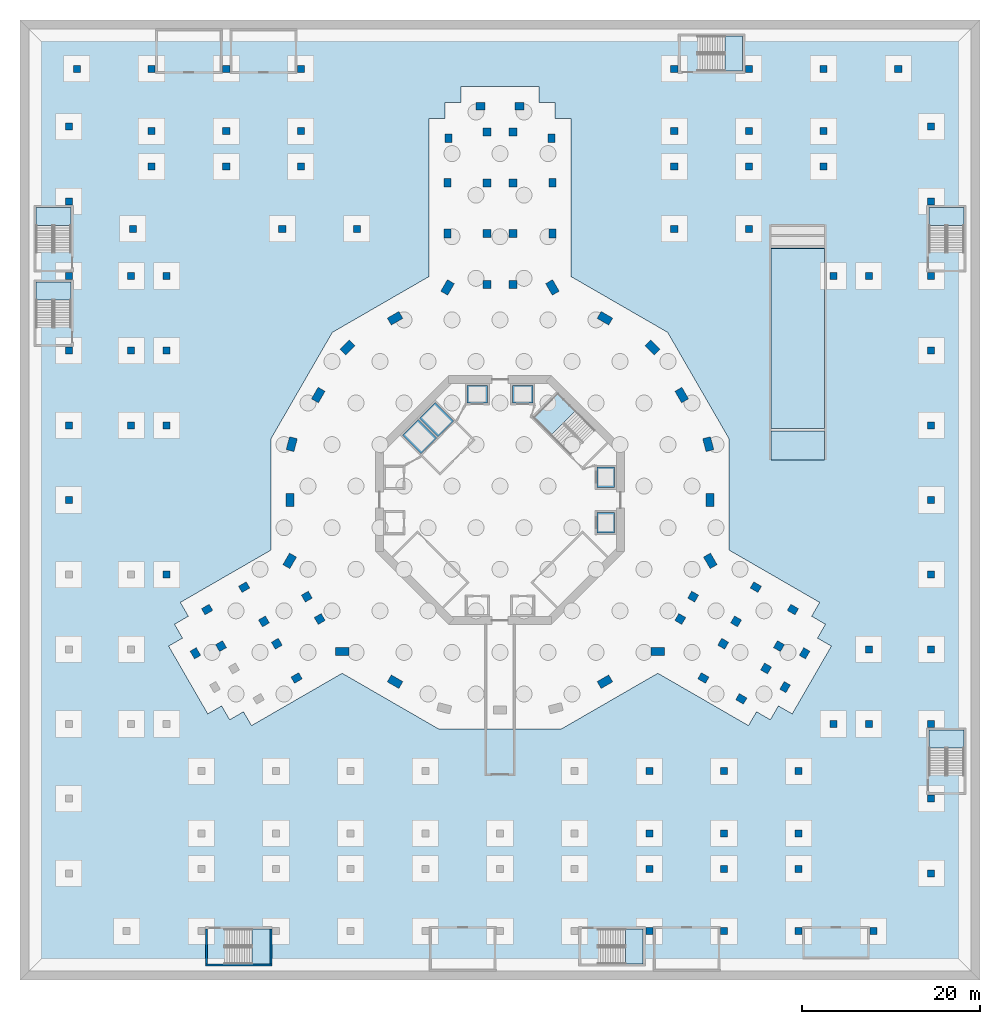
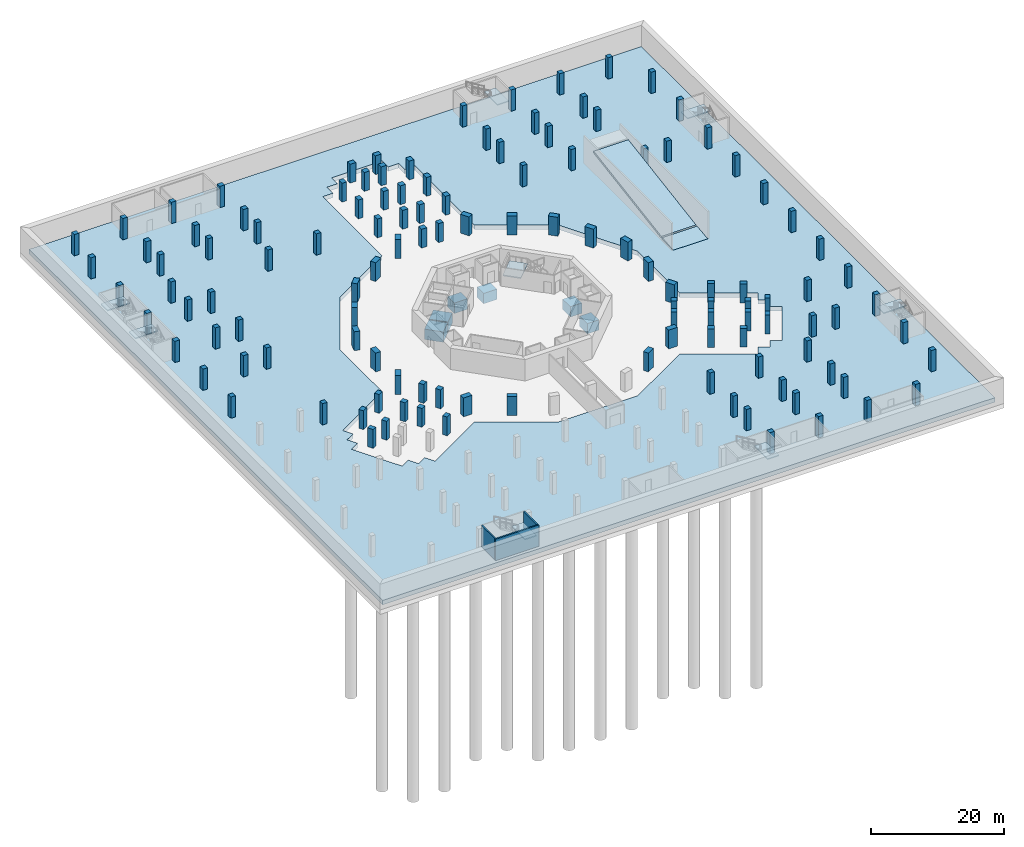
# One storey, part 3 of 27: 122 columns, 17 slabs, 3 walls, 9 elements without a shape of their own.
"""IFC4 building model written with IfcOpenShell, lengths in metres."""

from ifc_helpers import new_model, si_unit, direction, frame, frame_2d, origin, origin_2d, place, context, subcontext, project, spatial, polyline, rectangle, outline, extrude, material, layer, layer_set, material_profile, profile_set, type_object, element, aggregate, save


model = new_model("IFC4")

# Units and contexts
model_context = context("Model", 3, precision=1e-05, world=origin(), true_north=direction((0.0, 1.0)))
body_context = subcontext(model_context, "Body", "Model", "MODEL_VIEW")
ifc_project = project(units=[si_unit("LENGTHUNIT", "METRE"), si_unit("AREAUNIT", "SQUARE_METRE"), si_unit("VOLUMEUNIT", "CUBIC_METRE"), si_unit("PLANEANGLEUNIT", "RADIAN"), si_unit("MASSUNIT", "GRAM", prefix="KILO")], contexts=[model_context])

# Site, building, storey
site_placement = place(None, origin())
site = spatial("IfcSite", under=ifc_project, at=site_placement, CompositionType="ELEMENT")
building_placement = place(site_placement, origin())
building = spatial("IfcBuilding", under=site, at=building_placement, Name="Verdalira Terraces Hotel", CompositionType="ELEMENT")
storey_placement = place(building_placement, frame((0.0, 0.0, -11.699951)))
storey = spatial("IfcBuildingStorey", under=building, at=storey_placement, Name="B3", CompositionType="ELEMENT", Elevation=-11.699951171875)

# Columns
ifc_material_1 = material(Name="Concrete C80", Category="concrete")
ifc_material_profile_1 = material_profile(ifc_material_1, rectangle(XDim=1.0, YDim=0.800049, at=origin_2d()), Name="RC 1000X800")
ifc_profile_set_1 = profile_set([ifc_material_profile_1], Name="Concrete C80")
column_type_1 = type_object("IfcColumnType", Name="Column RC 1000X800 C80", PredefinedType="COLUMN", material=ifc_profile_set_1)
for number, where, z_axis, x_axis, name in (
    (1, (5.899902, 29.972168, 0.0), (0.0, 0.0, 1.0), (0.0, 1.0, 0.0), "Column C01"),
    (2, (5.899902, 35.686035, 0.0), (0.0, 0.0, 1.0), (0.0, 1.0, 0.0), "Column C02"),
    (3, (5.800049, 40.699951, 0.0), (0.0, 0.0, 1.0), (0.0, 1.0, 0.0), "Column C03"),
    (4, (-5.800049, 40.699951, 0.0), (0.0, 0.0, 1.0), (0.0, -1.0, 0.0), "Column C04"),
    (5, (-5.899902, 35.686035, 0.0), (0.0, 0.0, 1.0), (0.0, -1.0, 0.0), "Column C05"),
    (6, (-5.899902, 29.972168, 0.0), (0.0, 0.0, 1.0), (0.0, -1.0, 0.0), "Column C06"),
    (7, (-28.782715, -9.804932, 0.0), (0.0, 0.0, 1.0), (-0.866025404, -0.5, 0.0), "Column C14"),
    (8, (-32.951172, -12.327148, 0.0), (0.0, 0.0, 1.0), (-0.866025404, -0.5, 0.0), "Column C15"),
    (9, (-34.268799, -17.244629, 0.0), (0.0, 0.0, 1.0), (0.5, -0.866025404, 0.0), "Column C16"),
    (10, (-22.882812, -20.02417, 0.0), (0.0, 0.0, 1.0), (0.866025404, 0.5, 0.0), "Column C19"),
    (11, (22.882812, -20.02417, 0.0), (0.0, 0.0, 1.0), (0.866025404, -0.5, 0.0), "Column C27"),
    (12, (27.151123, -22.372803, 0.0), (0.0, 0.0, 1.0), (0.866025404, -0.5, 0.0), "Column C28"),
    (13, (32.068848, -21.05542, 0.0), (0.0, 0.0, 1.0), (0.5, 0.866025404, 0.0), "Column C29"),
    (14, (34.268799, -17.244629, 0.0), (0.0, 0.0, 1.0), (0.5, 0.866025404, 0.0), "Column C30"),
    (15, (32.951172, -12.327148, 0.0), (0.0, 0.0, 1.0), (-0.866025404, 0.5, 0.0), "Column C31"),
    (16, (28.782715, -9.804932, 0.0), (0.0, 0.0, 1.0), (-0.866025404, 0.5, 0.0), "Column C32"),
    (17, (2.199951, 44.300049, 0.0), (0.0, 0.0, 1.0), (-1.0, 0.0, 0.0), "Column C40"),
    (18, (-2.199951, 44.300049, 0.0), (0.0, 0.0, 1.0), (-1.0, 0.0, 0.0), "Column C41"),
):
    element("IfcColumn", number, at=place(storey_placement, frame(where, z_axis=z_axis, x_axis=x_axis)), inside=storey, type_object=column_type_1, Name=name, PredefinedType="COLUMN", context=body_context, shape_type="SweptSolid", body=[
        extrude(rectangle(XDim=1.0, YDim=0.800049, at=origin_2d()), origin(), (0.0, 0.0, 1.0), 3.449951),
    ])
ifc_material_2 = material(Name="Concrete C80", Category="concrete")
ifc_material_profile_2 = material_profile(ifc_material_2, rectangle(XDim=1.5, YDim=0.899902, at=origin_2d()), Name="RC 1500X900")
ifc_profile_set_2 = profile_set([ifc_material_profile_2], Name="Concrete C80")
column_type_2 = type_object("IfcColumnType", Name="Column RC 1500X900 C80", PredefinedType="COLUMN", material=ifc_profile_set_2)
for number, where, z_axis, x_axis, name in (
    (19, (-5.899902, 23.911865, 0.0), (0.0, 0.0, 1.0), (0.5, 0.866025404, 0.0), "Column C07"),
    (20, (-11.804199, 20.445312, 0.0), (0.0, 0.0, 1.0), (-0.866025404, -0.5, 0.0), "Column C08"),
    (21, (-17.150635, 17.150635, 0.0), (0.0, 0.0, 1.0), (0.707106781, 0.707106781, 0.0), "Column C09"),
    (22, (-20.445312, 11.804199, 0.0), (0.0, 0.0, 1.0), (-0.5, -0.866025404, 0.0), "Column C10"),
    (23, (-23.428223, 6.277588, 0.0), (0.0, 0.0, 1.0), (0.258819045, 0.965925826, 0.0), "Column C11"),
    (24, (-23.608398, 0.0, 0.0), (0.0, 0.0, 1.0), (0.0, -1.0, 0.0), "Column C12"),
    (25, (-23.658203, -6.846436, 0.0), (0.0, 0.0, 1.0), (0.5, 0.866025404, 0.0), "Column C13"),
    (26, (-17.758301, -17.06543, 0.0), (0.0, 0.0, 1.0), (-1.0, 0.0, 0.0), "Column C20"),
    (27, (-11.804199, -20.445312, 0.0), (0.0, 0.0, 1.0), (0.866025404, -0.5, 0.0), "Column C21"),
    (28, (11.804199, -20.445312, 0.0), (0.0, 0.0, 1.0), (0.866025404, 0.5, 0.0), "Column C25"),
    (29, (17.758301, -17.06543, 0.0), (0.0, 0.0, 1.0), (-1.0, 0.0, 0.0), "Column C26"),
    (30, (23.658203, -6.846436, 0.0), (0.0, 0.0, 1.0), (0.5, -0.866025404, 0.0), "Column C33"),
    (31, (23.608398, 0.0, 0.0), (0.0, 0.0, 1.0), (0.0, 1.0, 0.0), "Column C34"),
    (32, (23.428223, 6.277588, 0.0), (0.0, 0.0, 1.0), (0.258819045, -0.965925826, 0.0), "Column C35"),
    (33, (20.445312, 11.804199, 0.0), (0.0, 0.0, 1.0), (-0.5, 0.866025404, 0.0), "Column C36"),
    (34, (17.150635, 17.150635, 0.0), (0.0, 0.0, 1.0), (0.707106781, -0.707106781, 0.0), "Column C37"),
    (35, (11.804199, 20.445312, 0.0), (0.0, 0.0, 1.0), (-0.866025404, 0.5, 0.0), "Column C38"),
    (36, (5.899902, 23.911865, 0.0), (0.0, 0.0, 1.0), (0.5, -0.866025404, 0.0), "Column C39"),
):
    element("IfcColumn", number, at=place(storey_placement, frame(where, z_axis=z_axis, x_axis=x_axis)), inside=storey, type_object=column_type_2, Name=name, PredefinedType="COLUMN", context=body_context, shape_type="SweptSolid", body=[
        extrude(rectangle(XDim=1.5, YDim=0.899902, at=origin_2d()), origin(), (0.0, 0.0, 1.0), 3.449951),
    ])
ifc_material_3 = material(Name="Concrete C60", Category="concrete")
ifc_material_profile_3 = material_profile(ifc_material_3, rectangle(XDim=0.800049, YDim=0.800049, at=origin_2d()), Name="RC 800X800")
ifc_profile_set_3 = profile_set([ifc_material_profile_3], Name="Concrete C60")
column_type_3 = type_object("IfcColumnType", Name="Column RC 800X800 C60", PredefinedType="COLUMN", material=ifc_profile_set_3)
for number, where, z_axis, x_axis, name in (
    (37, (16.800049, -48.5, -0.800049), (0.0, 0.0, 1.0), (1.0, 0.0, 0.0), "Car park column 008"),
    (38, (25.199951, -48.5, -0.800049), (0.0, 0.0, 1.0), (1.0, 0.0, 0.0), "Car park column 009"),
    (39, (33.600098, -48.5, -0.800049), (0.0, 0.0, 1.0), (1.0, 0.0, 0.0), "Car park column 010"),
    (40, (42.0, -48.5, -0.800049), (0.0, 0.0, 1.0), (1.0, 0.0, 0.0), "Car park column 011"),
    (41, (48.5, -42.0, -0.800049), (0.0, 0.0, 1.0), (1.0, 0.0, 0.0), "Car park column 013"),
    (42, (16.800049, -41.5, -0.800049), (0.0, 0.0, 1.0), (1.0, 0.0, 0.0), "Car park column 020"),
    (43, (25.199951, -41.5, -0.800049), (0.0, 0.0, 1.0), (1.0, 0.0, 0.0), "Car park column 021"),
    (44, (33.600098, -41.5, -0.800049), (0.0, 0.0, 1.0), (1.0, 0.0, 0.0), "Car park column 022"),
    (45, (16.800049, -37.5, -0.800049), (0.0, 0.0, 1.0), (1.0, 0.0, 0.0), "Car park column 029"),
    (46, (25.199951, -37.5, -0.800049), (0.0, 0.0, 1.0), (1.0, 0.0, 0.0), "Car park column 030"),
    (47, (33.600098, -37.5, -0.800049), (0.0, 0.0, 1.0), (1.0, 0.0, 0.0), "Car park column 031"),
    (48, (48.5, -33.600098, -0.800049), (0.0, 0.0, 1.0), (1.0, 0.0, 0.0), "Car park column 033"),
    (49, (16.800049, -30.5, -0.800049), (0.0, 0.0, 1.0), (1.0, 0.0, 0.0), "Car park column 039"),
    (50, (25.199951, -30.5, -0.800049), (0.0, 0.0, 1.0), (1.0, 0.0, 0.0), "Car park column 040"),
    (51, (33.600098, -30.5, -0.800049), (0.0, 0.0, 1.0), (1.0, 0.0, 0.0), "Car park column 041"),
    (52, (37.5, -25.199951, -0.800049), (0.0, 0.0, 1.0), (1.0, 0.0, 0.0), "Car park column 045"),
    (53, (41.5, -25.199951, -0.800049), (0.0, 0.0, 1.0), (1.0, 0.0, 0.0), "Car park column 046"),
    (54, (48.5, -25.199951, -0.800049), (0.0, 0.0, 1.0), (1.0, 0.0, 0.0), "Car park column 047"),
    (55, (41.5, -16.800049, -0.800049), (0.0, 0.0, 1.0), (1.0, 0.0, 0.0), "Car park column 050"),
    (56, (48.5, -16.800049, -0.800049), (0.0, 0.0, 1.0), (1.0, 0.0, 0.0), "Car park column 051"),
    (57, (-37.5, -8.399902, -0.800049), (0.0, 0.0, 1.0), (1.0, 0.0, 0.0), "Car park column 054"),
    (58, (48.5, -8.399902, -0.800049), (0.0, 0.0, 1.0), (1.0, 0.0, 0.0), "Car park column 055"),
    (59, (-48.5, 0.0, -0.800049), (0.0, 0.0, 1.0), (1.0, 0.0, 0.0), "Car park column 056"),
    (60, (48.5, 0.0, -0.800049), (0.0, 0.0, 1.0), (1.0, 0.0, 0.0), "Car park column 057"),
    (61, (-48.5, 8.399902, -0.800049), (0.0, 0.0, 1.0), (1.0, 0.0, 0.0), "Car park column 058"),
    (62, (-41.5, 8.399902, -0.800049), (0.0, 0.0, 1.0), (1.0, 0.0, 0.0), "Car park column 059"),
    (63, (-37.5, 8.399902, -0.800049), (0.0, 0.0, 1.0), (1.0, 0.0, 0.0), "Car park column 060"),
    (64, (48.5, 8.399902, -0.800049), (0.0, 0.0, 1.0), (1.0, 0.0, 0.0), "Car park column 061"),
    (65, (-48.5, 16.800049, -0.800049), (0.0, 0.0, 1.0), (1.0, 0.0, 0.0), "Car park column 062"),
    (66, (-41.5, 16.800049, -0.800049), (0.0, 0.0, 1.0), (1.0, 0.0, 0.0), "Car park column 063"),
    (67, (-37.5, 16.800049, -0.800049), (0.0, 0.0, 1.0), (1.0, 0.0, 0.0), "Car park column 064"),
    (68, (48.5, 16.800049, -0.800049), (0.0, 0.0, 1.0), (1.0, 0.0, 0.0), "Car park column 065"),
    (69, (-48.5, 25.199951, -0.800049), (0.0, 0.0, 1.0), (1.0, 0.0, 0.0), "Car park column 066"),
    (70, (-41.5, 25.199951, -0.800049), (0.0, 0.0, 1.0), (1.0, 0.0, 0.0), "Car park column 067"),
    (71, (-37.5, 25.199951, -0.800049), (0.0, 0.0, 1.0), (1.0, 0.0, 0.0), "Car park column 068"),
    (72, (37.5, 25.199951, -0.800049), (0.0, 0.0, 1.0), (1.0, 0.0, 0.0), "Car park column 069"),
    (73, (41.5, 25.199951, -0.800049), (0.0, 0.0, 1.0), (1.0, 0.0, 0.0), "Car park column 070"),
    (74, (48.5, 25.199951, -0.800049), (0.0, 0.0, 1.0), (1.0, 0.0, 0.0), "Car park column 071"),
    (75, (-41.300049, 30.5, -0.800049), (0.0, 0.0, 1.0), (1.0, 0.0, 0.0), "Car park column 072"),
    (76, (-24.5, 30.5, -0.800049), (0.0, 0.0, 1.0), (1.0, 0.0, 0.0), "Car park column 073"),
    (77, (-16.100098, 30.5, -0.800049), (0.0, 0.0, 1.0), (1.0, 0.0, 0.0), "Car park column 074"),
    (78, (19.600098, 30.5, -0.800049), (0.0, 0.0, 1.0), (1.0, 0.0, 0.0), "Car park column 075"),
    (79, (28.0, 30.5, -0.800049), (0.0, 0.0, 1.0), (1.0, 0.0, 0.0), "Car park column 076"),
    (80, (-48.5, 33.600098, -0.800049), (0.0, 0.0, 1.0), (1.0, 0.0, 0.0), "Car park column 077"),
    (81, (48.5, 33.600098, -0.800049), (0.0, 0.0, 1.0), (1.0, 0.0, 0.0), "Car park column 078"),
    (82, (-39.199951, 37.5, -0.800049), (0.0, 0.0, 1.0), (1.0, 0.0, 0.0), "Car park column 079"),
    (83, (-30.800049, 37.5, -0.800049), (0.0, 0.0, 1.0), (1.0, 0.0, 0.0), "Car park column 080"),
    (84, (-22.399902, 37.5, -0.800049), (0.0, 0.0, 1.0), (1.0, 0.0, 0.0), "Car park column 081"),
    (85, (19.600098, 37.5, -0.800049), (0.0, 0.0, 1.0), (1.0, 0.0, 0.0), "Car park column 082"),
    (86, (28.0, 37.5, -0.800049), (0.0, 0.0, 1.0), (1.0, 0.0, 0.0), "Car park column 083"),
    (87, (36.399902, 37.5, -0.800049), (0.0, 0.0, 1.0), (1.0, 0.0, 0.0), "Car park column 084"),
    (88, (-39.199951, 41.5, -0.800049), (0.0, 0.0, 1.0), (1.0, 0.0, 0.0), "Car park column 085"),
    (89, (-30.800049, 41.5, -0.800049), (0.0, 0.0, 1.0), (1.0, 0.0, 0.0), "Car park column 086"),
    (90, (-22.399902, 41.5, -0.800049), (0.0, 0.0, 1.0), (1.0, 0.0, 0.0), "Car park column 087"),
    (91, (19.600098, 41.5, -0.800049), (0.0, 0.0, 1.0), (1.0, 0.0, 0.0), "Car park column 088"),
    (92, (28.0, 41.5, -0.800049), (0.0, 0.0, 1.0), (1.0, 0.0, 0.0), "Car park column 089"),
    (93, (36.399902, 41.5, -0.800049), (0.0, 0.0, 1.0), (1.0, 0.0, 0.0), "Car park column 090"),
    (94, (-48.5, 42.0, -0.800049), (0.0, 0.0, 1.0), (1.0, 0.0, 0.0), "Car park column 091"),
    (95, (48.5, 42.0, -0.800049), (0.0, 0.0, 1.0), (1.0, 0.0, 0.0), "Car park column 092"),
    (96, (-47.600098, 48.5, -0.800049), (0.0, 0.0, 1.0), (1.0, 0.0, 0.0), "Car park column 093"),
    (97, (-39.199951, 48.5, -0.800049), (0.0, 0.0, 1.0), (1.0, 0.0, 0.0), "Car park column 094"),
    (98, (-30.800049, 48.5, -0.800049), (0.0, 0.0, 1.0), (1.0, 0.0, 0.0), "Car park column 095"),
    (99, (-22.399902, 48.5, -0.800049), (0.0, 0.0, 1.0), (1.0, 0.0, 0.0), "Car park column 096"),
    (100, (19.600098, 48.5, -0.800049), (0.0, 0.0, 1.0), (1.0, 0.0, 0.0), "Car park column 097"),
    (101, (28.0, 48.5, -0.800049), (0.0, 0.0, 1.0), (1.0, 0.0, 0.0), "Car park column 098"),
    (102, (36.399902, 48.5, -0.800049), (0.0, 0.0, 1.0), (1.0, 0.0, 0.0), "Car park column 099"),
    (103, (44.800049, 48.5, -0.800049), (0.0, 0.0, 1.0), (1.0, 0.0, 0.0), "Car park column 100"),
):
    element("IfcColumn", number, at=place(storey_placement, frame(where, z_axis=z_axis, x_axis=x_axis)), inside=storey, type_object=column_type_3, Name=name, PredefinedType="COLUMN", context=body_context, shape_type="SweptSolid", body=[
        extrude(rectangle(XDim=0.800049, YDim=0.800049, at=origin_2d()), origin(), (0.0, 0.0, 1.0), 4.699951),
    ])
ifc_material_4 = material(Name="Concrete C80", Category="concrete")
ifc_material_profile_4 = material_profile(ifc_material_4, rectangle(XDim=0.899902, YDim=0.899902, at=origin_2d()), Name="RC 900X900")
ifc_profile_set_4 = profile_set([ifc_material_profile_4], Name="Concrete C80")
column_type_4 = type_object("IfcColumnType", Name="Column RC 900X900 C80", PredefinedType="COLUMN", material=ifc_profile_set_4)
for number, where, z_axis, x_axis, name in (
    (104, (1.449951, 24.258301, 0.0), (0.0, 0.0, 1.0), (0.0, 1.0, 0.0), "Column C42"),
    (105, (-1.449951, 24.258301, 0.0), (0.0, 0.0, 1.0), (0.0, 1.0, 0.0), "Column C43"),
    (106, (1.449951, 29.972168, 0.0), (0.0, 0.0, 1.0), (0.0, 1.0, 0.0), "Column C44"),
    (107, (-1.449951, 29.972168, 0.0), (0.0, 0.0, 1.0), (0.0, 1.0, 0.0), "Column C45"),
    (108, (1.449951, 35.686035, 0.0), (0.0, 0.0, 1.0), (0.0, 1.0, 0.0), "Column C46"),
    (109, (-1.449951, 35.686035, 0.0), (0.0, 0.0, 1.0), (0.0, 1.0, 0.0), "Column C47"),
    (110, (1.449951, 41.399902, 0.0), (0.0, 0.0, 1.0), (0.0, 1.0, 0.0), "Column C48"),
    (111, (-1.449951, 41.399902, 0.0), (0.0, 0.0, 1.0), (0.0, 1.0, 0.0), "Column C49"),
    (112, (-21.733398, -10.873291, 0.0), (0.0, 0.0, 1.0), (-0.866025404, -0.5, 0.0), "Column C50"),
    (113, (-20.283203, -13.38501, 0.0), (0.0, 0.0, 1.0), (-0.866025404, -0.5, 0.0), "Column C51"),
    (114, (-26.557861, -13.658691, 0.0), (0.0, 0.0, 1.0), (-0.866025404, -0.5, 0.0), "Column C52"),
    (115, (-25.10791, -16.17041, 0.0), (0.0, 0.0, 1.0), (-0.866025404, -0.5, 0.0), "Column C53"),
    (116, (-31.382324, -16.444336, 0.0), (0.0, 0.0, 1.0), (-0.866025404, -0.5, 0.0), "Column C54"),
    (117, (20.283203, -13.38501, 0.0), (0.0, 0.0, 1.0), (0.866025404, -0.5, 0.0), "Column C56"),
    (118, (21.733398, -10.873291, 0.0), (0.0, 0.0, 1.0), (0.866025404, -0.5, 0.0), "Column C57"),
    (119, (25.10791, -16.17041, 0.0), (0.0, 0.0, 1.0), (0.866025404, -0.5, 0.0), "Column C58"),
    (120, (26.557861, -13.658691, 0.0), (0.0, 0.0, 1.0), (0.866025404, -0.5, 0.0), "Column C59"),
    (121, (29.932373, -18.955811, 0.0), (0.0, 0.0, 1.0), (0.866025404, -0.5, 0.0), "Column C60"),
    (122, (31.382324, -16.444336, 0.0), (0.0, 0.0, 1.0), (0.866025404, -0.5, 0.0), "Column C61"),
):
    element("IfcColumn", number, at=place(storey_placement, frame(where, z_axis=z_axis, x_axis=x_axis)), inside=storey, type_object=column_type_4, Name=name, PredefinedType="COLUMN", context=body_context, shape_type="SweptSolid", body=[
        extrude(rectangle(XDim=0.899902, YDim=0.899902, at=origin_2d()), origin(), (0.0, 0.0, 1.0), 3.449951),
    ])

# Ramp, slabs
ifc_material_5 = material(Name="Concrete C40", Category="concrete")
ifc_layer_1 = layer(ifc_material_5, 0.35009765625)
ifc_layer_set_1 = layer_set([ifc_layer_1], Name="Ramp 350 C40")
ramp_type = type_object("IfcRampType", Name="Ramp 350 C40", PredefinedType="STRAIGHT_RUN_RAMP", material=ifc_layer_set_1)
ramp_placement = place(storey_placement, origin())
ramp = element("IfcRamp", 123, at=ramp_placement, inside=storey, type_object=ramp_type, Name="Ramp from B2 to B3", PredefinedType="STRAIGHT_RUN_RAMP")
ifc_material_6 = material(Name="Concrete C40", Category="concrete")
ifc_layer_2 = layer(ifc_material_6, 0.35009765625)
ifc_layer_set_2 = layer_set([ifc_layer_2], Name="Car park ramp slab 350 C40")
slab_type_1 = type_object("IfcSlabType", Name="Car park ramp slab 350 C40", PredefinedType="FLOOR", material=ifc_layer_set_2)
slab_1_placement = place(storey_placement, frame((30.5, 28.318848, 3.695557), z_axis=(0.0, -0.160587325, 0.987021637), x_axis=(1.0, 0.0, 0.0)))
slab_1 = element("IfcSlab", 124, at=slab_1_placement, type_object=slab_type_1, Name="Ramp from B2 to B3 vehicle ramp slab 2", PredefinedType="FLOOR", context=body_context, shape_type="SweptSolid", body=[
    extrude(outline(polyline([(0.0, 0.0), (6.0, 0.0), (6.0, -20.551391), (0.0, -20.551391), (0.0, 0.0)])), origin(), (0.0, 0.0, -1.0), 0.350098),
])
slab_2_placement = place(storey_placement, frame((30.5, 7.74585, 0.356934), z_axis=(0.0, -0.109307237, 0.994008012), x_axis=(1.0, 0.0, 0.0)))
slab_2 = element("IfcSlab", 125, at=slab_2_placement, type_object=slab_type_1, Name="Ramp from B2 to B3 vehicle ramp slab 3", PredefinedType="FLOOR", context=body_context, shape_type="SweptSolid", body=[
    extrude(outline(polyline([(0.0, 0.0), (6.0, 0.0), (6.0, -3.265416), (0.0, -3.265416), (0.0, 0.0)])), origin(), (0.0, 0.0, -1.0), 0.350098),
])
aggregate(ramp, [slab_1, slab_2])

# Slab
ifc_material_7 = material(Name="Concrete C40", Category="concrete")
ifc_layer_3 = layer(ifc_material_7, 0.800048828125)
ifc_layer_set_3 = layer_set([ifc_layer_3], Name="Car park slab on grade 800 C40")
slab_type_2 = type_object("IfcSlabType", Name="Car park slab on grade 800 C40", PredefinedType="BASESLAB", material=ifc_layer_set_3)
slab_3_placement = place(storey_placement, frame((0.0, 0.0, -0.800049)))
element("IfcSlab", 126, at=slab_3_placement, inside=storey, type_object=slab_type_2, Name="Car park slab on grade", PredefinedType="BASESLAB", context=body_context, shape_type="SweptSolid", body=[
    extrude(outline(polyline([(-53.0, -53.0), (53.0, -53.0), (53.0, 53.0), (-53.0, 53.0), (-53.0, -53.0)]), holes=[polyline([(6.199951, 42.899902), (8.0, 42.899902), (8.0, 25.124512), (18.856445, 18.856445), (25.758301, 6.901855), (25.758301, -5.634033), (35.956299, -11.521729), (35.056396, -13.080566), (36.615234, -13.980713), (35.715088, -15.539551), (37.273926, -16.439453), (32.874023, -24.060547), (31.315186, -23.1604), (30.415283, -24.719482), (28.856201, -23.819336), (27.956299, -25.378174), (17.758301, -19.490479), (6.901855, -25.758301), (-6.901855, -25.758301), (-17.758301, -19.490479), (-27.956299, -25.378174), (-28.856201, -23.819336), (-30.415283, -24.719482), (-31.315186, -23.1604), (-32.874023, -24.060547), (-37.273926, -16.439453), (-35.715088, -15.539551), (-36.615234, -13.980713), (-35.056396, -13.080566), (-35.956299, -11.521729), (-25.758301, -5.634033), (-25.758301, 6.901855), (-18.856445, 18.856445), (-8.0, 25.124512), (-8.0, 42.899902), (-6.199951, 42.899902), (-6.199951, 44.699951), (-4.399902, 44.699951), (-4.399902, 46.5), (4.399902, 46.5), (4.399902, 44.699951), (6.199951, 44.699951), (6.199951, 42.899902)]), polyline([(30.5, 4.50293), (30.5, 7.78418), (36.5, 7.78418), (36.5, 4.50293), (30.5, 4.50293)])]), origin(), (0.0, 0.0, 1.0), 0.800049),
])

# Stair, slab
ifc_material_8 = material(Name="Concrete C40", Category="concrete")
stair_type_1 = type_object("IfcStairType", Name="Car park stair 24 risers", PredefinedType="HALF_TURN_STAIR", material=ifc_material_8)
stair_1_placement = place(storey_placement, origin())
stair_1 = element("IfcStair", 127, at=stair_1_placement, inside=storey, type_object=stair_type_1, Name="B3 Exit stair Basement stair 1", PredefinedType="HALF_TURN_STAIR")
ifc_material_9 = material(Name="Concrete C40", Category="concrete")
ifc_layer_4 = layer(ifc_material_9, 0.199951171875)
ifc_layer_set_4 = layer_set([ifc_layer_4], Name="Car park stair landing 200 mm")
slab_type_3 = type_object("IfcSlabType", Name="Car park stair landing 200 mm", PredefinedType="LANDING", material=ifc_layer_set_4)
slab_4_placement = place(storey_placement, frame((0.0, 0.0, 1.75)))
slab_4 = element("IfcSlab", 128, at=slab_4_placement, type_object=slab_type_3, Name="Basement stair 1 landing 1", PredefinedType="LANDING", context=body_context, shape_type="SweptSolid", body=[
    extrude(outline(polyline([(-27.895508, -52.199951), (-25.899902, -52.199951), (-25.899902, -48.25), (-27.895508, -48.25), (-27.895508, -52.199951)])), origin(), (0.0, 0.0, 1.0), 0.199951),
])
aggregate(stair_1, [slab_4])

stair_2_placement = place(storey_placement, origin())
stair_2 = element("IfcStair", 129, at=stair_2_placement, inside=storey, type_object=stair_type_1, Name="B3 Exit stair Basement stair 2", PredefinedType="HALF_TURN_STAIR")
slab_5_placement = place(storey_placement, frame((0.0, 0.0, 1.75)))
slab_5 = element("IfcSlab", 130, at=slab_5_placement, type_object=slab_type_3, Name="Basement stair 2 landing 1", PredefinedType="LANDING", context=body_context, shape_type="SweptSolid", body=[
    extrude(outline(polyline([(52.199951, -27.895508), (52.199951, -25.899902), (48.25, -25.899902), (48.25, -27.895508), (52.199951, -27.895508)])), origin(), (0.0, 0.0, 1.0), 0.199951),
])
aggregate(stair_2, [slab_5])

stair_3_placement = place(storey_placement, origin())
stair_3 = element("IfcStair", 131, at=stair_3_placement, inside=storey, type_object=stair_type_1, Name="B3 Exit stair Basement stair 3", PredefinedType="HALF_TURN_STAIR")
slab_6_placement = place(storey_placement, frame((0.0, 0.0, 1.75)))
slab_6 = element("IfcSlab", 132, at=slab_6_placement, type_object=slab_type_3, Name="Basement stair 3 landing 1", PredefinedType="LANDING", context=body_context, shape_type="SweptSolid", body=[
    extrude(outline(polyline([(25.304443, 48.25), (27.300049, 48.25), (27.300049, 52.199951), (25.304443, 52.199951), (25.304443, 48.25)])), origin(), (0.0, 0.0, 1.0), 0.199951),
])
aggregate(stair_3, [slab_6])

stair_4_placement = place(storey_placement, origin())
stair_4 = element("IfcStair", 133, at=stair_4_placement, inside=storey, type_object=stair_type_1, Name="B3 Exit stair Basement stair 4", PredefinedType="HALF_TURN_STAIR")
slab_7_placement = place(storey_placement, frame((0.0, 0.0, 1.75)))
slab_7 = element("IfcSlab", 134, at=slab_7_placement, type_object=slab_type_3, Name="Basement stair 4 landing 1", PredefinedType="LANDING", context=body_context, shape_type="SweptSolid", body=[
    extrude(outline(polyline([(-48.25, 30.904541), (-48.25, 32.899902), (-52.199951, 32.899902), (-52.199951, 30.904541), (-48.25, 30.904541)])), origin(), (0.0, 0.0, 1.0), 0.199951),
])
aggregate(stair_4, [slab_7])

stair_5_placement = place(storey_placement, origin())
stair_5 = element("IfcStair", 135, at=stair_5_placement, inside=storey, type_object=stair_type_1, Name="B3 Exit stair Basement stair 5", PredefinedType="HALF_TURN_STAIR")
slab_8_placement = place(storey_placement, frame((0.0, 0.0, 1.75)))
slab_8 = element("IfcSlab", 136, at=slab_8_placement, type_object=slab_type_3, Name="Basement stair 5 landing 1", PredefinedType="LANDING", context=body_context, shape_type="SweptSolid", body=[
    extrude(outline(polyline([(52.199951, 30.904541), (52.199951, 32.899902), (48.25, 32.899902), (48.25, 30.904541), (52.199951, 30.904541)])), origin(), (0.0, 0.0, 1.0), 0.199951),
])
aggregate(stair_5, [slab_8])

stair_6_placement = place(storey_placement, origin())
stair_6 = element("IfcStair", 137, at=stair_6_placement, inside=storey, type_object=stair_type_1, Name="B3 Exit stair Basement stair 6", PredefinedType="HALF_TURN_STAIR")
slab_9_placement = place(storey_placement, frame((0.0, 0.0, 1.75)))
slab_9 = element("IfcSlab", 138, at=slab_9_placement, type_object=slab_type_3, Name="Basement stair 6 landing 1", PredefinedType="LANDING", context=body_context, shape_type="SweptSolid", body=[
    extrude(outline(polyline([(14.104492, -52.199951), (16.100098, -52.199951), (16.100098, -48.25), (14.104492, -48.25), (14.104492, -52.199951)])), origin(), (0.0, 0.0, 1.0), 0.199951),
])
aggregate(stair_6, [slab_9])

stair_7_placement = place(storey_placement, origin())
stair_7 = element("IfcStair", 139, at=stair_7_placement, inside=storey, type_object=stair_type_1, Name="B3 Exit stair Basement stair 7", PredefinedType="HALF_TURN_STAIR")
slab_10_placement = place(storey_placement, frame((0.0, 0.0, 1.75)))
slab_10 = element("IfcSlab", 140, at=slab_10_placement, type_object=slab_type_3, Name="Basement stair 7 landing 1", PredefinedType="LANDING", context=body_context, shape_type="SweptSolid", body=[
    extrude(outline(polyline([(-48.25, 22.504395), (-48.25, 24.5), (-52.199951, 24.5), (-52.199951, 22.504395), (-48.25, 22.504395)])), origin(), (0.0, 0.0, 1.0), 0.199951),
])
aggregate(stair_7, [slab_10])

ifc_material_10 = material(Name="Concrete C40", Category="concrete")
stair_type_2 = type_object("IfcStairType", Name="Core stair 24 risers 1900 mm wide", PredefinedType="HALF_TURN_STAIR", material=ifc_material_10)
stair_8_placement = place(storey_placement, origin())
stair_8 = element("IfcStair", 141, at=stair_8_placement, inside=storey, type_object=stair_type_2, Name="B3 Exit stair ST1", PredefinedType="HALF_TURN_STAIR")
ifc_material_11 = material(Name="Concrete C40", Category="concrete")
ifc_layer_5 = layer(ifc_material_11, 0.199951171875)
ifc_layer_set_5 = layer_set([ifc_layer_5], Name="Core stair landing 200 mm")
slab_type_4 = type_object("IfcSlabType", Name="Core stair landing 200 mm", PredefinedType="LANDING", material=ifc_layer_set_5)
slab_11_placement = place(storey_placement, frame((0.0, 0.0, 1.75)))
slab_11 = element("IfcSlab", 142, at=slab_11_placement, type_object=slab_type_4, Name="ST1 landing 1", PredefinedType="LANDING", context=body_context, shape_type="SweptSolid", body=[
    extrude(outline(polyline([(8.499756, 10.026367), (6.505371, 12.020752), (3.747559, 9.263184), (5.741943, 7.268799), (8.499756, 10.026367)])), origin(), (0.0, 0.0, 1.0), 0.199951),
])
aggregate(stair_8, [slab_11])

# Slabs
ifc_material_12 = material(Name="Concrete C50", Category="concrete")
ifc_layer_6 = layer(ifc_material_12, 1.89990234375)
ifc_layer_set_6 = layer_set([ifc_layer_6], Name="Lift pit slab 1900 C50")
slab_type_5 = type_object("IfcSlabType", Name="Lift pit slab 1900 C50", PredefinedType="BASESLAB", material=ifc_layer_set_6)
slab_12_placement = place(storey_placement, frame((0.0, 0.0, -3.5)))
element("IfcSlab", 143, at=slab_12_placement, inside=storey, type_object=slab_type_5, Name="Lift pit slab LP1", PredefinedType="BASESLAB", context=body_context, shape_type="SweptSolid", body=[
    extrude(outline(polyline([(10.899902, -1.399902), (10.899902, -3.699951), (12.899902, -3.699951), (12.899902, -1.399902), (10.899902, -1.399902)])), origin(), (0.0, 0.0, 1.0), 1.899902),
])
slab_13_placement = place(storey_placement, frame((0.0, 0.0, -3.5)))
element("IfcSlab", 144, at=slab_13_placement, inside=storey, type_object=slab_type_5, Name="Lift pit slab LP2", PredefinedType="BASESLAB", context=body_context, shape_type="SweptSolid", body=[
    extrude(outline(polyline([(10.899902, 1.399902), (12.899902, 1.399902), (12.899902, 3.699951), (10.899902, 3.699951), (10.899902, 1.399902)])), origin(), (0.0, 0.0, 1.0), 1.899902),
])
slab_14_placement = place(storey_placement, frame((0.0, 0.0, -3.5)))
element("IfcSlab", 145, at=slab_14_placement, inside=storey, type_object=slab_type_5, Name="Lift pit slab LP3", PredefinedType="BASESLAB", context=body_context, shape_type="SweptSolid", body=[
    extrude(outline(polyline([(1.399902, 10.899902), (3.699951, 10.899902), (3.699951, 12.899902), (1.399902, 12.899902), (1.399902, 10.899902)])), origin(), (0.0, 0.0, 1.0), 1.899902),
])
slab_15_placement = place(storey_placement, frame((0.0, 0.0, -3.5)))
element("IfcSlab", 146, at=slab_15_placement, inside=storey, type_object=slab_type_5, Name="Lift pit slab LP4", PredefinedType="BASESLAB", context=body_context, shape_type="SweptSolid", body=[
    extrude(outline(polyline([(-1.399902, 10.899902), (-1.399902, 12.899902), (-3.699951, 12.899902), (-3.699951, 10.899902), (-1.399902, 10.899902)])), origin(), (0.0, 0.0, 1.0), 1.899902),
])
slab_16_placement = place(storey_placement, frame((0.0, 0.0, -3.5)))
element("IfcSlab", 147, at=slab_16_placement, inside=storey, type_object=slab_type_5, Name="Lift pit slab LP5", PredefinedType="BASESLAB", context=body_context, shape_type="SweptSolid", body=[
    extrude(outline(polyline([(-5.197266, 8.874268), (-7.283203, 10.960205), (-9.051025, 9.192383), (-6.965088, 7.106445), (-5.197266, 8.874268)])), origin(), (0.0, 0.0, 1.0), 1.899902),
])
slab_17_placement = place(storey_placement, frame((0.0, 0.0, -3.5)))
element("IfcSlab", 148, at=slab_17_placement, inside=storey, type_object=slab_type_5, Name="Lift pit slab LP6", PredefinedType="BASESLAB", context=body_context, shape_type="SweptSolid", body=[
    extrude(outline(polyline([(-7.106445, 6.965088), (-9.192383, 9.051025), (-10.960205, 7.283203), (-8.874268, 5.197266), (-7.106445, 6.965088)])), origin(), (0.0, 0.0, 1.0), 1.899902),
])

# Walls
ifc_material_13 = material(Name="Concrete C40", Category="concrete")
ifc_layer_7 = layer(ifc_material_13, 0.25)
ifc_layer_set_7 = layer_set([ifc_layer_7], Name="Stair enclosure wall 250 C40")
wall_type = type_object("IfcWallType", Name="Stair enclosure wall 250 C40", PredefinedType="SOLIDWALL", material=ifc_layer_set_7)
wall_placement = place(storey_placement, frame((-33.149902, -52.324951, 0.0), z_axis=(0.0, 0.0, 1.0), x_axis=(1.0, 0.0, 0.0)))
element("IfcWall", 149, at=wall_placement, inside=storey, type_object=wall_type, Name="Stair BS1 enclosure wall", PredefinedType="SOLIDWALL", context=body_context, shape_type="SweptSolid", body=[
    extrude(rectangle(XDim=7.5, YDim=0.25, at=frame_2d((3.75, 0.0))), origin(), (0.0, 0.0, 1.0), 3.899902),
])
for number, where, z_axis, x_axis, name in (
    (150, (-33.024902, -52.199951, 0.0), (0.0, 0.0, 1.0), (0.0, 1.0, 0.0), "Stair BS1 enclosure wall"),
    (151, (-25.774902, -52.199951, 0.0), (0.0, 0.0, 1.0), (0.0, 1.0, 0.0), "Stair BS1 enclosure wall"),
):
    element("IfcWall", number, at=place(storey_placement, frame(where, z_axis=z_axis, x_axis=x_axis)), inside=storey, type_object=wall_type, Name=name, PredefinedType="SOLIDWALL", context=body_context, shape_type="SweptSolid", body=[
        extrude(rectangle(XDim=3.949951, YDim=0.25, at=frame_2d((1.975098, 0.0))), origin(), (0.0, 0.0, 1.0), 3.899902),
    ])

save(model, "model.ifc")
